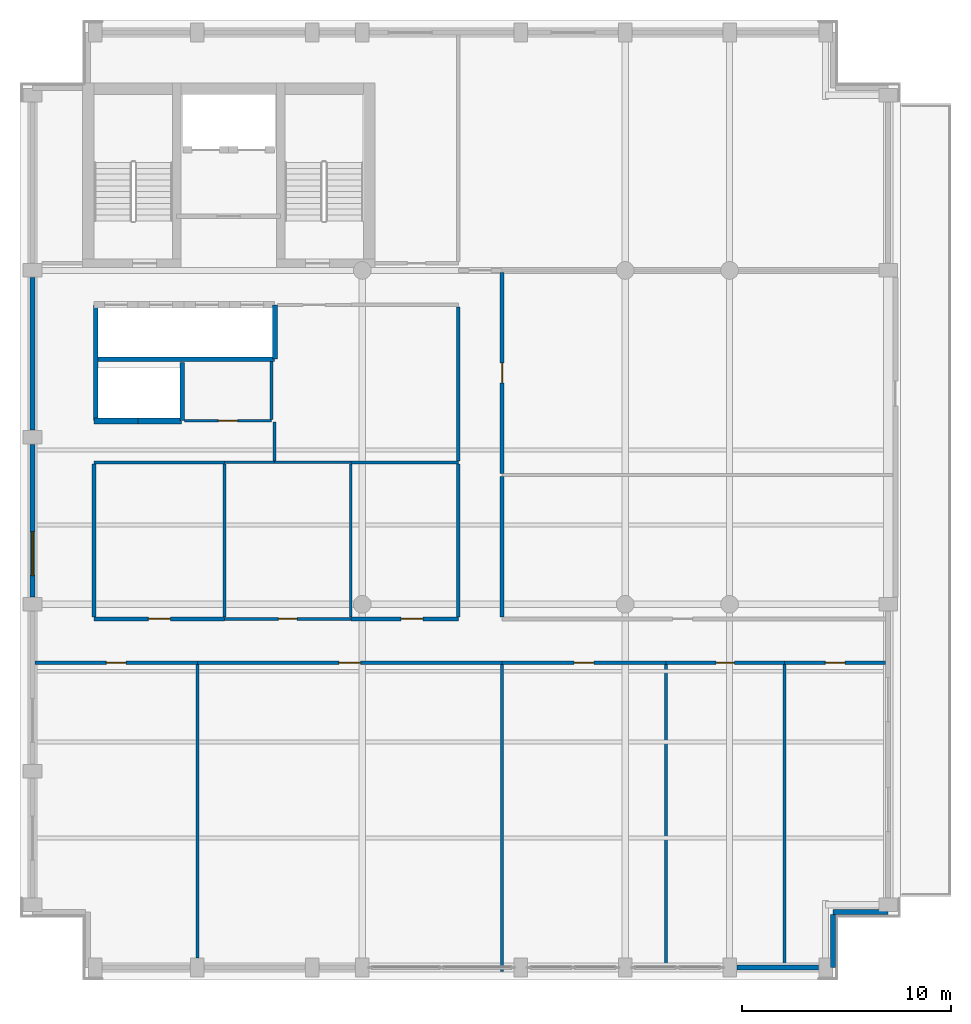
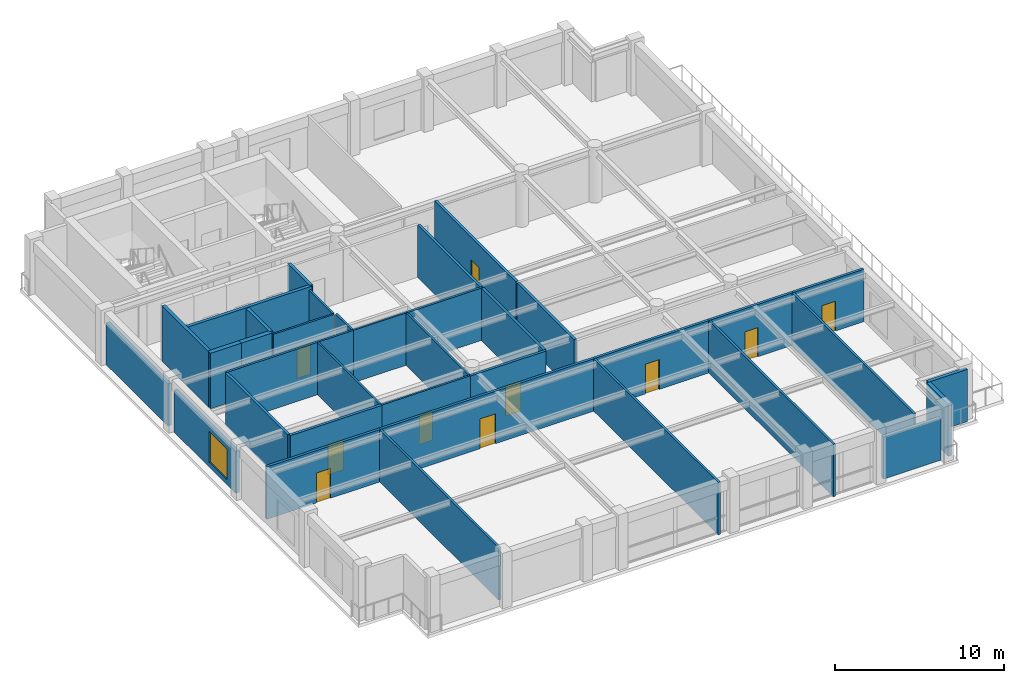
# One storey, part 4 of 9: 37 walls, 10 doors, 1 window, 11 openings.
"""IFC4 building model written with IfcOpenShell, lengths in metres."""

from ifc_helpers import new_model, si_unit, direction, frame, frame_2d, origin, place, context, subcontext, project, spatial, rectangle, extrude, material, layer, layer_set, type_object, element, fill, save


model = new_model("IFC4")

# Units and contexts
model_context = context("Model", 3, precision=1e-05, world=origin(), true_north=direction((0.0, 1.0)))
body_context = subcontext(model_context, "Body", "Model", "MODEL_VIEW")
ifc_project = project(units=[si_unit("LENGTHUNIT", "METRE"), si_unit("AREAUNIT", "SQUARE_METRE"), si_unit("VOLUMEUNIT", "CUBIC_METRE"), si_unit("PLANEANGLEUNIT", "RADIAN"), si_unit("MASSUNIT", "GRAM", prefix="KILO")], contexts=[model_context])

# Site, building, storey
site_placement = place(None, origin())
site = spatial("IfcSite", under=ifc_project, at=site_placement, CompositionType="ELEMENT")
building_placement = place(site_placement, origin())
building = spatial("IfcBuilding", under=site, at=building_placement, Name="Sulina Concourse Tower", CompositionType="ELEMENT")
storey_placement = place(building_placement, frame((0.0, 0.0, 297.0)))
storey = spatial("IfcBuildingStorey", under=building, at=storey_placement, Name="L72", CompositionType="ELEMENT", Elevation=297.0)

# Walls
ifc_material_1 = material(Name="Concrete C50/60", Category="concrete")
ifc_layer_1 = layer(ifc_material_1, 0.219970703125)
ifc_layer_set_1 = layer_set([ifc_layer_1], Name="Concrete C50/60")
wall_type_1 = type_object("IfcWallType", Name="Core Lift Hoistway Divider Wall 220mm", PredefinedType="SOLIDWALL", material=ifc_layer_set_1)
wall_1_placement = place(storey_placement, frame((3.550048828125, 29.75, 0.0), z_axis=(0.0, 0.0, 1.0), x_axis=(1.0, 0.0, 0.0)))
element("IfcWall", 1, at=wall_1_placement, inside=storey, type_object=wall_type_1, Name="L72 shaft divider wall HW-LP3-S", PredefinedType="SOLIDWALL", context=body_context, shape_type="SweptSolid", body=[
    extrude(rectangle(XDim=8.64990234375, YDim=0.219970703125, at=frame_2d((4.324951171875, 0.0))), origin(), (0.0, 0.0, 1.0), 4.0),
])
wall_2_placement = place(storey_placement, frame((3.6298828125, 26.800048828125, 0.0), z_axis=(0.0, 0.0, 1.0), x_axis=(0.0, 1.0, 0.0)))
element("IfcWall", 2, at=wall_2_placement, inside=storey, type_object=wall_type_1, Name="L72 shaft divider wall HW-LP3-W", PredefinedType="SOLIDWALL", context=body_context, shape_type="SweptSolid", body=[
    extrude(rectangle(XDim=5.550048828125, YDim=0.219970703125, at=frame_2d((2.77490234375, 0.0))), origin(), (0.0, 0.0, 1.0), 4.0),
])
wall_3_placement = place(storey_placement, frame((7.780029296875, 26.800048828125, 0.0), z_axis=(0.0, 0.0, 1.0), x_axis=(0.0, 1.0, 0.0)))
element("IfcWall", 3, at=wall_3_placement, inside=storey, type_object=wall_type_1, Name="L72 shaft divider wall HW-EXP-E", PredefinedType="SOLIDWALL", context=body_context, shape_type="SweptSolid", body=[
    extrude(rectangle(XDim=2.800048828125, YDim=0.219970703125, at=frame_2d((1.39990234375, 0.0))), origin(), (0.0, 0.0, 1.0), 4.0),
])
wall_4_placement = place(storey_placement, frame((12.219970703125, 29.75, 0.0), z_axis=(0.0, 0.0, 1.0), x_axis=(0.0, 1.0, 0.0)))
element("IfcWall", 4, at=wall_4_placement, inside=storey, type_object=wall_type_1, Name="L72 shaft divider wall HW-LP3-E", PredefinedType="SOLIDWALL", context=body_context, shape_type="SweptSolid", body=[
    extrude(rectangle(XDim=2.60009765625, YDim=0.219970703125, at=frame_2d((1.300048828125, 0.0))), origin(), (0.0, 0.0, 1.0), 4.0),
])
ifc_material_2 = material(Name="Concrete C50/60", Category="concrete")
ifc_layer_2 = layer(ifc_material_2, 0.300048828125)
ifc_layer_set_2 = layer_set([ifc_layer_2], Name="Concrete C50/60")
wall_type_2 = type_object("IfcWallType", Name="Core Lift Hoistway Wall 300mm", PredefinedType="SOLIDWALL", material=ifc_layer_set_2)
wall_5_placement = place(storey_placement, frame((5.64990234375, 26.780029296875, 0.0), z_axis=(0.0, 0.0, 1.0), x_axis=(-1.0, 0.0, 0.0)))
element("IfcWall", 5, at=wall_5_placement, inside=storey, type_object=wall_type_2, Name="L72 hoistway enclosure wall EXP-1", PredefinedType="SOLIDWALL", context=body_context, shape_type="SweptSolid", body=[
    extrude(rectangle(XDim=2.099853515625, YDim=0.300048828125, at=frame_2d((1.0498046875, 0.0))), origin(), (0.0, 0.0, 1.0), 4.0),
])
wall_6_placement = place(storey_placement, frame((7.75, 26.780029296875, 0.0), z_axis=(0.0, 0.0, 1.0), x_axis=(-1.0, 0.0, 0.0)))
element("IfcWall", 6, at=wall_6_placement, inside=storey, type_object=wall_type_2, Name="L72 hoistway enclosure wall EXP-2", PredefinedType="SOLIDWALL", context=body_context, shape_type="SweptSolid", body=[
    extrude(rectangle(XDim=2.10009765625, YDim=0.300048828125, at=frame_2d((1.050048828125, 0.0))), origin(), (0.0, 0.0, 1.0), 4.0),
])
ifc_material_3 = material(Name="Precast concrete C50/60", Category="concrete")
ifc_layer_3 = layer(ifc_material_3, 0.239990234375)
ifc_layer_set_3 = layer_set([ifc_layer_3], Name="Precast concrete C50/60")
wall_type_3 = type_object("IfcWallType", Name="Crown Precast Masonry-Frame Facade Wall 240mm", PredefinedType="SOLIDWALL", material=ifc_layer_set_3)
wall_7_placement = place(storey_placement, frame((38.2548828125, 0.60009765625, 0.0), z_axis=(0.0, 0.0, 1.0), x_axis=(-1.0, 0.0, 0.0)))
element("IfcWall", 7, at=wall_7_placement, inside=storey, type_object=wall_type_3, Name="L72 exterior precast wall S7", PredefinedType="SOLIDWALL", context=body_context, shape_type="SweptSolid", body=[
    extrude(rectangle(XDim=3.909912109375, YDim=0.239990234375, at=frame_2d((1.955078125, 0.0))), origin(), (0.0, 0.0, 1.0), 3.02490234375),
])

# Wall, opening, window
wall_8_placement = place(storey_placement, frame((0.60009765625, 18.344970703125, 0.0), z_axis=(0.0, 0.0, 1.0), x_axis=(0.0, 1.0, 0.0)))
wall_8 = element("IfcWall", 8, at=wall_8_placement, inside=storey, type_object=wall_type_3, Name="L72 exterior precast wall W3", PredefinedType="SOLIDWALL", context=body_context, shape_type="SweptSolid", body=[
    extrude(rectangle(XDim=7.31005859375, YDim=0.239990234375, at=frame_2d((3.655029296875, 0.0))), origin(), (0.0, 0.0, 1.0), 3.02490234375),
])
opening_1_placement = place(wall_8_placement, frame((1.03662109375, 0.0, 0.35009765625)))
opening_1 = element("IfcOpeningElement", 9, at=opening_1_placement, cuts=wall_8, Name="Opening WN-33", PredefinedType="OPENING", context=body_context, shape_type="SweptSolid", body=[
    extrude(rectangle(XDim=2.10009765625, YDim=2.199951171875, at=frame_2d((1.050048828125, 1.10009765625))), frame((0.0, 0.1298828125, 0.0), z_axis=(0.0, -1.0, 0.0), x_axis=(1.0, 0.0, 0.0)), (0.0, 0.0, 1.0), 0.260009765625),
])
ifc_material_4 = material(Name="Low-E solar double glazing in bronze aluminium", Category="aluminium")
window_type = type_object("IfcWindowType", Name="Punched Masonry-Frame Window 2100x2200", PartitioningType="DOUBLE_PANEL_VERTICAL", PredefinedType="WINDOW", material=ifc_material_4)
window_placement = place(opening_1_placement, origin())
window = element("IfcWindow", 10, at=window_placement, inside=storey, type_object=window_type, Name="L72 punched window W3-1", OverallHeight=2.199951171875, OverallWidth=2.10009765625, PartitioningType="SINGLE_PANEL", PredefinedType="WINDOW", context=body_context, shape_type="SweptSolid", body=[
    extrude(rectangle(XDim=2.10009765625, YDim=2.199951171875, at=frame_2d((1.050048828125, 1.10009765625))), frame((0.0, 0.030029296875, 0.0), z_axis=(0.0, -1.0, 0.0), x_axis=(1.0, 0.0, 0.0)), (0.0, 0.0, 1.0), 0.06005859375),
])
fill(opening_1, window)

# Walls
wall_9_placement = place(storey_placement, frame((0.60009765625, 26.344970703125, 0.0), z_axis=(0.0, 0.0, 1.0), x_axis=(0.0, 1.0, 0.0)))
element("IfcWall", 11, at=wall_9_placement, inside=storey, type_object=wall_type_3, Name="L72 exterior precast wall W4", PredefinedType="SOLIDWALL", context=body_context, shape_type="SweptSolid", body=[
    extrude(rectangle(XDim=7.31005859375, YDim=0.239990234375, at=frame_2d((3.655029296875, 0.0))), origin(), (0.0, 0.0, 1.0), 3.02490234375),
])
wall_10_placement = place(storey_placement, frame((41.60009765625, 3.2548828125, 0.0), z_axis=(0.0, 0.0, 1.0), x_axis=(-1.0, 0.0, 0.0)))
element("IfcWall", 12, at=wall_10_placement, inside=storey, type_object=wall_type_3, Name="L72 exterior precast wall CSE1", PredefinedType="SOLIDWALL", context=body_context, shape_type="SweptSolid", body=[
    extrude(rectangle(XDim=2.655029296875, YDim=0.239990234375, at=frame_2d((1.32763671875, 0.0))), origin(), (0.0, 0.0, 1.0), 3.77490234375),
])
wall_11_placement = place(storey_placement, frame((38.945068359375, 3.1298828125, 0.0), z_axis=(0.0, 0.0, 1.0), x_axis=(0.0, -1.0, 0.0)))
element("IfcWall", 13, at=wall_11_placement, inside=storey, type_object=wall_type_3, Name="L72 exterior precast wall CSE2", PredefinedType="SOLIDWALL", context=body_context, shape_type="SweptSolid", body=[
    extrude(rectangle(XDim=2.52978515625, YDim=0.239990234375, at=frame_2d((1.264892578125, 0.0))), origin(), (0.0, 0.0, 1.0), 3.77490234375),
])
ifc_material_5 = material(Name="Gypsum board on steel stud", Category="steel")
ifc_layer_4 = layer(ifc_material_5, 0.14990234375)
ifc_layer_set_4 = layer_set([ifc_layer_4], Name="Gypsum board on steel stud")
wall_type_4 = type_object("IfcWallType", Name="Inter-Tenancy Acoustic Partition 150mm", PredefinedType="PARTITIONING", material=ifc_layer_set_4)
wall_12_placement = place(storey_placement, frame((3.550048828125, 24.800048828125, 0.0), z_axis=(0.0, 0.0, 1.0), x_axis=(1.0, 0.0, 0.0)))
element("IfcWall", 14, at=wall_12_placement, inside=storey, type_object=wall_type_4, Name="L72 interior partition 011", PredefinedType="PARTITIONING", context=body_context, shape_type="SweptSolid", body=[
    extrude(rectangle(XDim=6.25, YDim=0.14990234375, at=frame_2d((3.125, 0.0))), origin(), (0.0, 0.0, 1.0), 3.77490234375),
])
wall_13_placement = place(storey_placement, frame((15.85009765625, 24.800048828125, 0.0), z_axis=(0.0, 0.0, 1.0), x_axis=(1.0, 0.0, 0.0)))
element("IfcWall", 15, at=wall_13_placement, inside=storey, type_object=wall_type_4, Name="L72 interior partition 014", PredefinedType="PARTITIONING", context=body_context, shape_type="SweptSolid", body=[
    extrude(rectangle(XDim=5.14990234375, YDim=0.14990234375, at=frame_2d((2.574951171875, 0.0))), origin(), (0.0, 0.0, 1.0), 3.77490234375),
])
wall_14_placement = place(storey_placement, frame((8.5, 1.050048828125, 0.0), z_axis=(0.0, 0.0, 1.0), x_axis=(0.0, 1.0, 0.0)))
element("IfcWall", 16, at=wall_14_placement, inside=storey, type_object=wall_type_4, Name="L72 interior partition 025", PredefinedType="PARTITIONING", context=body_context, shape_type="SweptSolid", body=[
    extrude(rectangle(XDim=14.06005859375, YDim=0.14990234375, at=frame_2d((7.030029296875, 0.0))), origin(), (0.0, 0.0, 1.0), 3.77490234375),
])
wall_15_placement = place(storey_placement, frame((12.199951171875, 24.862548828125, 0.0), z_axis=(0.0, 0.0, 1.0), x_axis=(0.0, 1.0, 0.0)))
element("IfcWall", 17, at=wall_15_placement, inside=storey, type_object=wall_type_4, Name="L72 interior partition 028", PredefinedType="PARTITIONING", context=body_context, shape_type="SweptSolid", body=[
    extrude(rectangle(XDim=1.875, YDim=0.14990234375, at=frame_2d((0.9375, 0.0))), origin(), (0.0, 0.0, 1.0), 3.77490234375),
])
for number, where, z_axis, x_axis, name in (
    (18, (23.10009765625, 0.39990234375, 0.0), (0.0, 0.0, 1.0), (0.0, 1.0, 0.0), "L72 interior partition 033"),
    (19, (30.949951171875, 0.39990234375, 0.0), (0.0, 0.0, 1.0), (0.0, 1.0, 0.0), "L72 interior partition 036"),
):
    element("IfcWall", number, at=place(storey_placement, frame(where, z_axis=z_axis, x_axis=x_axis)), inside=storey, type_object=wall_type_4, Name=name, PredefinedType="PARTITIONING", context=body_context, shape_type="SweptSolid", body=[
        extrude(rectangle(XDim=14.710205078125, YDim=0.14990234375, at=frame_2d((7.35498046875, 0.0))), origin(), (0.0, 0.0, 1.0), 3.77490234375),
    ])
wall_16_placement = place(storey_placement, frame((36.639892578125, 0.719970703125, 0.0), z_axis=(0.0, 0.0, 1.0), x_axis=(0.0, 1.0, 0.0)))
element("IfcWall", 20, at=wall_16_placement, inside=storey, type_object=wall_type_4, Name="L72 interior partition 037", PredefinedType="PARTITIONING", context=body_context, shape_type="SweptSolid", body=[
    extrude(rectangle(XDim=14.39013671875, YDim=0.14990234375, at=frame_2d((7.195068359375, 0.0))), origin(), (0.0, 0.0, 1.0), 3.77490234375),
])

# Wall, opening, door
ifc_material_6 = material(Name="Gypsum board on steel stud", Category="steel")
ifc_layer_5 = layer(ifc_material_6, 0.179931640625)
ifc_layer_set_5 = layer_set([ifc_layer_5], Name="Gypsum board on steel stud")
wall_type_5 = type_object("IfcWallType", Name="Protected Corridor & Riser Partition 180mm", PredefinedType="PARTITIONING", material=ifc_layer_set_5)
wall_17_placement = place(storey_placement, frame((0.719970703125, 15.199951171875, 0.0), z_axis=(0.0, 0.0, 1.0), x_axis=(1.0, 0.0, 0.0)))
wall_17 = element("IfcWall", 21, at=wall_17_placement, inside=storey, type_object=wall_type_5, Name="L72 interior partition 001", PredefinedType="PARTITIONING", context=body_context, shape_type="SweptSolid", body=[
    extrude(rectangle(XDim=7.780029296875, YDim=0.179931640625, at=frame_2d((3.89013671875, 0.0))), origin(), (0.0, 0.0, 1.0), 3.77490234375),
])
opening_2_placement = place(wall_17_placement, frame((3.4150390625, 0.0, 0.0)))
opening_2 = element("IfcOpeningElement", 22, at=opening_2_placement, cuts=wall_17, Name="Opening DR-19", PredefinedType="OPENING", context=body_context, shape_type="SweptSolid", body=[
    extrude(rectangle(XDim=0.949951171875, YDim=2.14990234375, at=frame_2d((0.47509765625, 1.074951171875))), frame((0.0, 0.099853515625, 0.0), z_axis=(0.0, -1.0, 0.0), x_axis=(1.0, 0.0, 0.0)), (0.0, 0.0, 1.0), 0.199951171875),
])
ifc_material_7 = material(Name="Oak-veneered acoustic timber leaf", Category="wood")
ifc_layer_6 = layer(ifc_material_7, 0.050048828125)
ifc_layer_set_6 = layer_set([ifc_layer_6], Name="Oak-veneered acoustic timber leaf")
door_type_1 = type_object("IfcDoorType", Name="Cellular Office & Meeting Door 950x2150", OperationType="NOTDEFINED", PredefinedType="DOOR", material=ifc_layer_set_6)
door_1_placement = place(opening_2_placement, origin())
door_1 = element("IfcDoor", 23, at=door_1_placement, inside=storey, type_object=door_type_1, Name="L72 interior door L72-S01", OperationType="SINGLE_SWING_RIGHT", OverallHeight=2.14990234375, OverallWidth=0.949951171875, PredefinedType="DOOR", context=body_context, shape_type="SweptSolid", body=[
    extrude(rectangle(XDim=0.949951171875, YDim=2.14990234375, at=frame_2d((0.47509765625, 1.074951171875))), frame((0.0, 0.02490234375, 0.0), z_axis=(0.0, -1.0, 0.0), x_axis=(1.0, 0.0, 0.0)), (0.0, 0.0, 1.0), 0.050048828125),
])
fill(opening_2, door_1)

wall_18_placement = place(storey_placement, frame((8.5, 15.199951171875, 0.0), z_axis=(0.0, 0.0, 1.0), x_axis=(1.0, 0.0, 0.0)))
wall_18 = element("IfcWall", 24, at=wall_18_placement, inside=storey, type_object=wall_type_5, Name="L72 interior partition 002", PredefinedType="PARTITIONING", context=body_context, shape_type="SweptSolid", body=[
    extrude(rectangle(XDim=14.60009765625, YDim=0.179931640625, at=frame_2d((7.300048828125, 0.0))), origin(), (0.0, 0.0, 1.0), 3.77490234375),
])
opening_3_placement = place(wall_18_placement, frame((6.77490234375, 0.0, 0.0)))
opening_3 = element("IfcOpeningElement", 25, at=opening_3_placement, cuts=wall_18, Name="Opening DR-37", PredefinedType="OPENING", context=body_context, shape_type="SweptSolid", body=[
    extrude(rectangle(XDim=1.050048828125, YDim=2.14990234375, at=frame_2d((0.52490234375, 1.074951171875))), frame((0.0, 0.099853515625, 0.0), z_axis=(0.0, -1.0, 0.0), x_axis=(1.0, 0.0, 0.0)), (0.0, 0.0, 1.0), 0.199951171875),
])
ifc_material_8 = material(Name="Oak-veneered fire door leaf")
ifc_layer_7 = layer(ifc_material_8, 0.050048828125)
ifc_layer_set_7 = layer_set([ifc_layer_7], Name="Oak-veneered fire door leaf")
door_type_2 = type_object("IfcDoorType", Name="Tenant Suite Entrance Fire Door 1050x2150", OperationType="NOTDEFINED", PredefinedType="DOOR", material=ifc_layer_set_7)
door_2_placement = place(opening_3_placement, origin())
door_2 = element("IfcDoor", 26, at=door_2_placement, inside=storey, type_object=door_type_2, Name="L72 interior door L72-S02", OperationType="SINGLE_SWING_LEFT", OverallHeight=2.14990234375, OverallWidth=1.050048828125, PredefinedType="DOOR", context=body_context, shape_type="SweptSolid", body=[
    extrude(rectangle(XDim=1.050048828125, YDim=2.14990234375, at=frame_2d((0.52490234375, 1.074951171875))), frame((0.0, 0.02490234375, 0.0), z_axis=(0.0, -1.0, 0.0), x_axis=(1.0, 0.0, 0.0)), (0.0, 0.0, 1.0), 0.050048828125),
])
fill(opening_3, door_2)

wall_19_placement = place(storey_placement, frame((23.10009765625, 15.199951171875, 0.0), z_axis=(0.0, 0.0, 1.0), x_axis=(1.0, 0.0, 0.0)))
wall_19 = element("IfcWall", 27, at=wall_19_placement, inside=storey, type_object=wall_type_5, Name="L72 interior partition 003", PredefinedType="PARTITIONING", context=body_context, shape_type="SweptSolid", body=[
    extrude(rectangle(XDim=7.849853515625, YDim=0.179931640625, at=frame_2d((3.9248046875, 0.0))), origin(), (0.0, 0.0, 1.0), 3.77490234375),
])
opening_4_placement = place(wall_19_placement, frame((3.449951171875, 0.0, 0.0)))
opening_4 = element("IfcOpeningElement", 28, at=opening_4_placement, cuts=wall_19, Name="Opening DR-19", PredefinedType="OPENING", context=body_context, shape_type="SweptSolid", body=[
    extrude(rectangle(XDim=0.949951171875, YDim=2.14990234375, at=frame_2d((0.47509765625, 1.074951171875))), frame((0.0, 0.099853515625, 0.0), z_axis=(0.0, -1.0, 0.0), x_axis=(1.0, 0.0, 0.0)), (0.0, 0.0, 1.0), 0.199951171875),
])
door_3_placement = place(opening_4_placement, origin())
door_3 = element("IfcDoor", 29, at=door_3_placement, inside=storey, type_object=door_type_1, Name="L72 interior door L72-S03A", OperationType="SINGLE_SWING_RIGHT", OverallHeight=2.14990234375, OverallWidth=0.949951171875, PredefinedType="DOOR", context=body_context, shape_type="SweptSolid", body=[
    extrude(rectangle(XDim=0.949951171875, YDim=2.14990234375, at=frame_2d((0.47509765625, 1.074951171875))), frame((0.0, 0.02490234375, 0.0), z_axis=(0.0, -1.0, 0.0), x_axis=(1.0, 0.0, 0.0)), (0.0, 0.0, 1.0), 0.050048828125),
])
fill(opening_4, door_3)

wall_20_placement = place(storey_placement, frame((30.949951171875, 15.199951171875, 0.0), z_axis=(0.0, 0.0, 1.0), x_axis=(1.0, 0.0, 0.0)))
wall_20 = element("IfcWall", 30, at=wall_20_placement, inside=storey, type_object=wall_type_5, Name="L72 interior partition 004", PredefinedType="PARTITIONING", context=body_context, shape_type="SweptSolid", body=[
    extrude(rectangle(XDim=5.68994140625, YDim=0.179931640625, at=frame_2d((2.844970703125, 0.0))), origin(), (0.0, 0.0, 1.0), 3.77490234375),
])
opening_5_placement = place(wall_20_placement, frame((2.405029296875, 0.0, 0.0)))
opening_5 = element("IfcOpeningElement", 31, at=opening_5_placement, cuts=wall_20, Name="Opening DR-38", PredefinedType="OPENING", context=body_context, shape_type="SweptSolid", body=[
    extrude(rectangle(XDim=0.8798828125, YDim=2.10009765625, at=frame_2d((0.43994140625, 1.050048828125))), frame((0.0, 0.099853515625, 0.0), z_axis=(0.0, -1.0, 0.0), x_axis=(1.0, 0.0, 0.0)), (0.0, 0.0, 1.0), 0.199951171875),
])
ifc_material_9 = material(Name="Galvanised steel acoustic fire leaf", Category="steel")
ifc_layer_8 = layer(ifc_material_9, 0.050048828125)
ifc_layer_set_8 = layer_set([ifc_layer_8], Name="Galvanised steel acoustic fire leaf")
door_type_3 = type_object("IfcDoorType", Name="Service Riser Fire Door 880x2100", OperationType="NOTDEFINED", PredefinedType="DOOR", material=ifc_layer_set_8)
door_4_placement = place(opening_5_placement, origin())
door_4 = element("IfcDoor", 32, at=door_4_placement, inside=storey, type_object=door_type_3, Name="L72 interior door L72-S03B", OperationType="SINGLE_SWING_LEFT", OverallHeight=2.10009765625, OverallWidth=0.8798828125, PredefinedType="DOOR", context=body_context, shape_type="SweptSolid", body=[
    extrude(rectangle(XDim=0.8798828125, YDim=2.10009765625, at=frame_2d((0.43994140625, 1.050048828125))), frame((0.0, 0.02490234375, 0.0), z_axis=(0.0, -1.0, 0.0), x_axis=(1.0, 0.0, 0.0)), (0.0, 0.0, 1.0), 0.050048828125),
])
fill(opening_5, door_4)

wall_21_placement = place(storey_placement, frame((36.639892578125, 15.199951171875, 0.0), z_axis=(0.0, 0.0, 1.0), x_axis=(1.0, 0.0, 0.0)))
wall_21 = element("IfcWall", 33, at=wall_21_placement, inside=storey, type_object=wall_type_5, Name="L72 interior partition 005", PredefinedType="PARTITIONING", context=body_context, shape_type="SweptSolid", body=[
    extrude(rectangle(XDim=4.840087890625, YDim=0.179931640625, at=frame_2d((2.419921875, 0.0))), origin(), (0.0, 0.0, 1.0), 3.77490234375),
])
opening_6_placement = place(wall_21_placement, frame((1.945068359375, 0.0, 0.0)))
opening_6 = element("IfcOpeningElement", 34, at=opening_6_placement, cuts=wall_21, Name="Opening DR-19", PredefinedType="OPENING", context=body_context, shape_type="SweptSolid", body=[
    extrude(rectangle(XDim=0.949951171875, YDim=2.14990234375, at=frame_2d((0.47509765625, 1.074951171875))), frame((0.0, 0.099853515625, 0.0), z_axis=(0.0, -1.0, 0.0), x_axis=(1.0, 0.0, 0.0)), (0.0, 0.0, 1.0), 0.199951171875),
])
door_5_placement = place(opening_6_placement, origin())
door_5 = element("IfcDoor", 35, at=door_5_placement, inside=storey, type_object=door_type_1, Name="L72 interior door L72-S04", OperationType="SINGLE_SWING_RIGHT", OverallHeight=2.14990234375, OverallWidth=0.949951171875, PredefinedType="DOOR", context=body_context, shape_type="SweptSolid", body=[
    extrude(rectangle(XDim=0.949951171875, YDim=2.14990234375, at=frame_2d((0.47509765625, 1.074951171875))), frame((0.0, 0.02490234375, 0.0), z_axis=(0.0, -1.0, 0.0), x_axis=(1.0, 0.0, 0.0)), (0.0, 0.0, 1.0), 0.050048828125),
])
fill(opening_6, door_5)

wall_22_placement = place(storey_placement, frame((3.550048828125, 17.300048828125, 0.0), z_axis=(0.0, 0.0, 1.0), x_axis=(1.0, 0.0, 0.0)))
wall_22 = element("IfcWall", 36, at=wall_22_placement, inside=storey, type_object=wall_type_5, Name="L72 interior partition 006", PredefinedType="PARTITIONING", context=body_context, shape_type="SweptSolid", body=[
    extrude(rectangle(XDim=6.25, YDim=0.179931640625, at=frame_2d((3.125, 0.0))), origin(), (0.0, 0.0, 1.0), 3.77490234375),
])
opening_7_placement = place(wall_22_placement, frame((2.60009765625, 0.0, 0.0)))
opening_7 = element("IfcOpeningElement", 37, at=opening_7_placement, cuts=wall_22, Name="Opening DR-37", PredefinedType="OPENING", context=body_context, shape_type="SweptSolid", body=[
    extrude(rectangle(XDim=1.050048828125, YDim=2.14990234375, at=frame_2d((0.52490234375, 1.074951171875))), frame((0.0, 0.099853515625, 0.0), z_axis=(0.0, -1.0, 0.0), x_axis=(1.0, 0.0, 0.0)), (0.0, 0.0, 1.0), 0.199951171875),
])
door_6_placement = place(opening_7_placement, origin())
door_6 = element("IfcDoor", 38, at=door_6_placement, inside=storey, type_object=door_type_2, Name="L72 interior door L72-LR-MRG1", OperationType="SINGLE_SWING_LEFT", OverallHeight=2.14990234375, OverallWidth=1.050048828125, PredefinedType="DOOR", context=body_context, shape_type="SweptSolid", body=[
    extrude(rectangle(XDim=1.050048828125, YDim=2.14990234375, at=frame_2d((0.52490234375, 1.074951171875))), frame((0.0, 0.02490234375, 0.0), z_axis=(0.0, -1.0, 0.0), x_axis=(1.0, 0.0, 0.0)), (0.0, 0.0, 1.0), 0.050048828125),
])
fill(opening_7, door_6)

wall_23_placement = place(storey_placement, frame((15.85009765625, 17.300048828125, 0.0), z_axis=(0.0, 0.0, 1.0), x_axis=(1.0, 0.0, 0.0)))
wall_23 = element("IfcWall", 39, at=wall_23_placement, inside=storey, type_object=wall_type_5, Name="L72 interior partition 008", PredefinedType="PARTITIONING", context=body_context, shape_type="SweptSolid", body=[
    extrude(rectangle(XDim=5.14990234375, YDim=0.179931640625, at=frame_2d((2.574951171875, 0.0))), origin(), (0.0, 0.0, 1.0), 3.77490234375),
])
opening_8_placement = place(wall_23_placement, frame((2.409912109375, 0.0, 0.0)))
opening_8 = element("IfcOpeningElement", 40, at=opening_8_placement, cuts=wall_23, Name="Opening DR-37", PredefinedType="OPENING", context=body_context, shape_type="SweptSolid", body=[
    extrude(rectangle(XDim=1.050048828125, YDim=2.14990234375, at=frame_2d((0.52490234375, 1.074951171875))), frame((0.0, 0.099853515625, 0.0), z_axis=(0.0, -1.0, 0.0), x_axis=(1.0, 0.0, 0.0)), (0.0, 0.0, 1.0), 0.199951171875),
])
door_7_placement = place(opening_8_placement, origin())
door_7 = element("IfcDoor", 41, at=door_7_placement, inside=storey, type_object=door_type_2, Name="L72 interior door L72-CR-PKW", OperationType="SINGLE_SWING_LEFT", OverallHeight=2.14990234375, OverallWidth=1.050048828125, PredefinedType="DOOR", context=body_context, shape_type="SweptSolid", body=[
    extrude(rectangle(XDim=1.050048828125, YDim=2.14990234375, at=frame_2d((0.52490234375, 1.074951171875))), frame((0.0, 0.02490234375, 0.0), z_axis=(0.0, -1.0, 0.0), x_axis=(1.0, 0.0, 0.0)), (0.0, 0.0, 1.0), 0.050048828125),
])
fill(opening_8, door_7)

# Walls
for number, where, z_axis, x_axis, name in (
    (42, (3.550048828125, 17.389892578125, 0.0), (0.0, 0.0, 1.0), (0.0, 1.0, 0.0), "L72 interior partition 024"),
    (43, (21.0, 17.389892578125, 0.0), (0.0, 0.0, 1.0), (0.0, 1.0, 0.0), "L72 interior partition 030"),
):
    element("IfcWall", number, at=place(storey_placement, frame(where, z_axis=z_axis, x_axis=x_axis)), inside=storey, type_object=wall_type_5, Name=name, PredefinedType="PARTITIONING", context=body_context, shape_type="SweptSolid", body=[
        extrude(rectangle(XDim=7.335205078125, YDim=0.179931640625, at=frame_2d((3.66748046875, 0.0))), origin(), (0.0, 0.0, 1.0), 3.77490234375),
    ])
wall_24_placement = place(storey_placement, frame((21.0, 24.875, 0.0), z_axis=(0.0, 0.0, 1.0), x_axis=(0.0, 1.0, 0.0)))
element("IfcWall", 44, at=wall_24_placement, inside=storey, type_object=wall_type_5, Name="L72 interior partition 031", PredefinedType="PARTITIONING", context=body_context, shape_type="SweptSolid", body=[
    extrude(rectangle(XDim=7.385009765625, YDim=0.179931640625, at=frame_2d((3.6923828125, 0.0))), origin(), (0.0, 0.0, 1.0), 3.77490234375),
])
wall_25_placement = place(storey_placement, frame((23.10009765625, 17.389892578125, 0.0), z_axis=(0.0, 0.0, 1.0), x_axis=(0.0, 1.0, 0.0)))
element("IfcWall", 45, at=wall_25_placement, inside=storey, type_object=wall_type_5, Name="L72 interior partition 034", PredefinedType="PARTITIONING", context=body_context, shape_type="SweptSolid", body=[
    extrude(rectangle(XDim=6.735107421875, YDim=0.179931640625, at=frame_2d((3.36767578125, 0.0))), origin(), (0.0, 0.0, 1.0), 3.77490234375),
])

# Wall, opening, door
wall_26_placement = place(storey_placement, frame((23.10009765625, 24.27490234375, 0.0), z_axis=(0.0, 0.0, 1.0), x_axis=(0.0, 1.0, 0.0)))
wall_26 = element("IfcWall", 46, at=wall_26_placement, inside=storey, type_object=wall_type_5, Name="L72 interior partition 035", PredefinedType="PARTITIONING", context=body_context, shape_type="SweptSolid", body=[
    extrude(rectangle(XDim=9.635009765625, YDim=0.179931640625, at=frame_2d((4.8173828125, 0.0))), origin(), (0.0, 0.0, 1.0), 3.77490234375),
])
opening_9_placement = place(wall_26_placement, frame((4.342529296875, 0.0, 0.0)))
opening_9 = element("IfcOpeningElement", 47, at=opening_9_placement, cuts=wall_26, Name="Opening DR-19", PredefinedType="OPENING", context=body_context, shape_type="SweptSolid", body=[
    extrude(rectangle(XDim=0.949951171875, YDim=2.14990234375, at=frame_2d((0.47509765625, 1.074951171875))), frame((0.0, 0.099853515625, 0.0), z_axis=(0.0, -1.0, 0.0), x_axis=(1.0, 0.0, 0.0)), (0.0, 0.0, 1.0), 0.199951171875),
])
door_8_placement = place(opening_9_placement, origin())
door_8 = element("IfcDoor", 48, at=door_8_placement, inside=storey, type_object=door_type_1, Name="L72 interior door L72-CR-E2", OperationType="SINGLE_SWING_LEFT", OverallHeight=2.14990234375, OverallWidth=0.949951171875, PredefinedType="DOOR", context=body_context, shape_type="SweptSolid", body=[
    extrude(rectangle(XDim=0.949951171875, YDim=2.14990234375, at=frame_2d((0.47509765625, 1.074951171875))), frame((0.0, 0.02490234375, 0.0), z_axis=(0.0, -1.0, 0.0), x_axis=(1.0, 0.0, 0.0)), (0.0, 0.0, 1.0), 0.050048828125),
])
fill(opening_9, door_8)

ifc_material_10 = material(Name="Gypsum board on steel stud", Category="steel")
ifc_layer_9 = layer(ifc_material_10, 0.125)
ifc_layer_set_9 = layer_set([ifc_layer_9], Name="Gypsum board on steel stud")
wall_type_6 = type_object("IfcWallType", Name="Wet-Area Moisture-Resistant Partition 125mm", PredefinedType="PARTITIONING", material=ifc_layer_set_9)
wall_27_placement = place(storey_placement, frame((9.800048828125, 17.300048828125, 0.0), z_axis=(0.0, 0.0, 1.0), x_axis=(1.0, 0.0, 0.0)))
wall_27 = element("IfcWall", 49, at=wall_27_placement, inside=storey, type_object=wall_type_6, Name="L72 interior partition 007", PredefinedType="PARTITIONING", context=body_context, shape_type="SweptSolid", body=[
    extrude(rectangle(XDim=6.050048828125, YDim=0.125, at=frame_2d((3.02490234375, 0.0))), origin(), (0.0, 0.0, 1.0), 3.77490234375),
])
opening_10_placement = place(wall_27_placement, frame((2.574951171875, 0.0, 0.0)))
opening_10 = element("IfcOpeningElement", 50, at=opening_10_placement, cuts=wall_27, Name="Opening DR-21", PredefinedType="OPENING", context=body_context, shape_type="SweptSolid", body=[
    extrude(rectangle(XDim=0.89990234375, YDim=2.10009765625, at=frame_2d((0.449951171875, 1.050048828125))), frame((0.0, 0.072509765625, 0.0), z_axis=(0.0, -1.0, 0.0), x_axis=(1.0, 0.0, 0.0)), (0.0, 0.0, 1.0), 0.14501953125),
])
ifc_material_11 = material(Name="Oak-veneered fire door leaf")
ifc_layer_10 = layer(ifc_material_11, 0.050048828125)
ifc_layer_set_10 = layer_set([ifc_layer_10], Name="Oak-veneered fire door leaf")
door_type_4 = type_object("IfcDoorType", Name="Restroom & Service Door 900x2100", OperationType="NOTDEFINED", PredefinedType="DOOR", material=ifc_layer_set_10)
door_9_placement = place(opening_10_placement, origin())
door_9 = element("IfcDoor", 51, at=door_9_placement, inside=storey, type_object=door_type_4, Name="L72 interior door L72-LR-MRG2", OperationType="SINGLE_SWING_RIGHT", OverallHeight=2.10009765625, OverallWidth=0.89990234375, PredefinedType="DOOR", context=body_context, shape_type="SweptSolid", body=[
    extrude(rectangle(XDim=0.89990234375, YDim=2.10009765625, at=frame_2d((0.449951171875, 1.050048828125))), frame((0.0, 0.02490234375, 0.0), z_axis=(0.0, -1.0, 0.0), x_axis=(1.0, 0.0, 0.0)), (0.0, 0.0, 1.0), 0.050048828125),
])
fill(opening_10, door_9)

# Walls
wall_28_placement = place(storey_placement, frame((9.800048828125, 24.800048828125, 0.0), z_axis=(0.0, 0.0, 1.0), x_axis=(1.0, 0.0, 0.0)))
element("IfcWall", 52, at=wall_28_placement, inside=storey, type_object=wall_type_6, Name="L72 interior partition 012", PredefinedType="PARTITIONING", context=body_context, shape_type="SweptSolid", body=[
    extrude(rectangle(XDim=2.39990234375, YDim=0.125, at=frame_2d((1.199951171875, 0.0))), origin(), (0.0, 0.0, 1.0), 3.77490234375),
])
wall_29_placement = place(storey_placement, frame((12.199951171875, 24.800048828125, 0.0), z_axis=(0.0, 0.0, 1.0), x_axis=(1.0, 0.0, 0.0)))
element("IfcWall", 53, at=wall_29_placement, inside=storey, type_object=wall_type_6, Name="L72 interior partition 013", PredefinedType="PARTITIONING", context=body_context, shape_type="SweptSolid", body=[
    extrude(rectangle(XDim=3.650146484375, YDim=0.125, at=frame_2d((1.8251953125, 0.0))), origin(), (0.0, 0.0, 1.0), 3.77490234375),
])

# Wall, opening, door
wall_30_placement = place(storey_placement, frame((7.889892578125, 26.800048828125, 0.0), z_axis=(0.0, 0.0, 1.0), x_axis=(1.0, 0.0, 0.0)))
wall_30 = element("IfcWall", 54, at=wall_30_placement, inside=storey, type_object=wall_type_6, Name="L72 interior partition 015", PredefinedType="PARTITIONING", context=body_context, shape_type="SweptSolid", body=[
    extrude(rectangle(XDim=4.16015625, YDim=0.125, at=frame_2d((2.080078125, 0.0))), origin(), (0.0, 0.0, 1.0), 3.77490234375),
])
opening_11_placement = place(wall_30_placement, frame((1.6201171875, 0.0, 0.0)))
opening_11 = element("IfcOpeningElement", 55, at=opening_11_placement, cuts=wall_30, Name="Opening DR-61", PredefinedType="OPENING", context=body_context, shape_type="SweptSolid", body=[
    extrude(rectangle(XDim=0.919921875, YDim=2.10009765625, at=frame_2d((0.4599609375, 1.050048828125))), frame((0.0, 0.072509765625, 0.0), z_axis=(0.0, -1.0, 0.0), x_axis=(1.0, 0.0, 0.0)), (0.0, 0.0, 1.0), 0.14501953125),
])
ifc_material_12 = material(Name="Oak-veneered fire door leaf")
ifc_layer_11 = layer(ifc_material_12, 0.050048828125)
ifc_layer_set_11 = layer_set([ifc_layer_11], Name="Oak-veneered fire door leaf")
door_type_5 = type_object("IfcDoorType", Name="Accessible WC Door 920x2100", OperationType="NOTDEFINED", PredefinedType="DOOR", material=ifc_layer_set_11)
door_10_placement = place(opening_11_placement, origin())
door_10 = element("IfcDoor", 56, at=door_10_placement, inside=storey, type_object=door_type_5, Name="L72 interior door L72-WC-ACC", OperationType="SINGLE_SWING_LEFT", OverallHeight=2.10009765625, OverallWidth=0.919921875, PredefinedType="DOOR", context=body_context, shape_type="SweptSolid", body=[
    extrude(rectangle(XDim=0.919921875, YDim=2.10009765625, at=frame_2d((0.4599609375, 1.050048828125))), frame((0.0, 0.02490234375, 0.0), z_axis=(0.0, -1.0, 0.0), x_axis=(1.0, 0.0, 0.0)), (0.0, 0.0, 1.0), 0.050048828125),
])
fill(opening_11, door_10)

# Walls
wall_31_placement = place(storey_placement, frame((9.800048828125, 17.389892578125, 0.0), z_axis=(0.0, 0.0, 1.0), x_axis=(0.0, 1.0, 0.0)))
element("IfcWall", 57, at=wall_31_placement, inside=storey, type_object=wall_type_6, Name="L72 interior partition 026", PredefinedType="PARTITIONING", context=body_context, shape_type="SweptSolid", body=[
    extrude(rectangle(XDim=7.335205078125, YDim=0.125, at=frame_2d((3.66748046875, 0.0))), origin(), (0.0, 0.0, 1.0), 3.77490234375),
])
wall_32_placement = place(storey_placement, frame((12.050048828125, 26.862548828125, 0.0), z_axis=(0.0, 0.0, 1.0), x_axis=(0.0, 1.0, 0.0)))
element("IfcWall", 58, at=wall_32_placement, inside=storey, type_object=wall_type_6, Name="L72 interior partition 027", PredefinedType="PARTITIONING", context=body_context, shape_type="SweptSolid", body=[
    extrude(rectangle(XDim=2.77734375, YDim=0.125, at=frame_2d((1.388671875, 0.0))), origin(), (0.0, 0.0, 1.0), 3.77490234375),
])
wall_33_placement = place(storey_placement, frame((15.85009765625, 17.389892578125, 0.0), z_axis=(0.0, 0.0, 1.0), x_axis=(0.0, 1.0, 0.0)))
element("IfcWall", 59, at=wall_33_placement, inside=storey, type_object=wall_type_6, Name="L72 interior partition 029", PredefinedType="PARTITIONING", context=body_context, shape_type="SweptSolid", body=[
    extrude(rectangle(XDim=7.335205078125, YDim=0.125, at=frame_2d((3.66748046875, 0.0))), origin(), (0.0, 0.0, 1.0), 3.77490234375),
])

save(model, "model.ifc")
